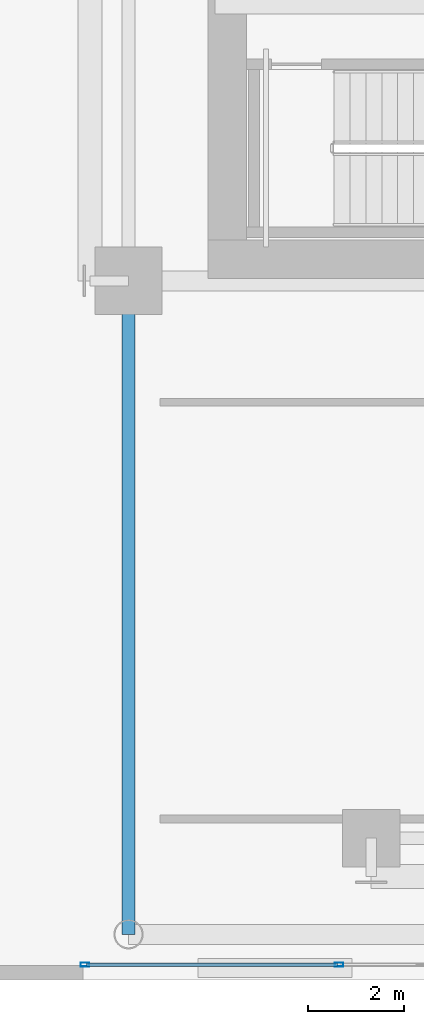
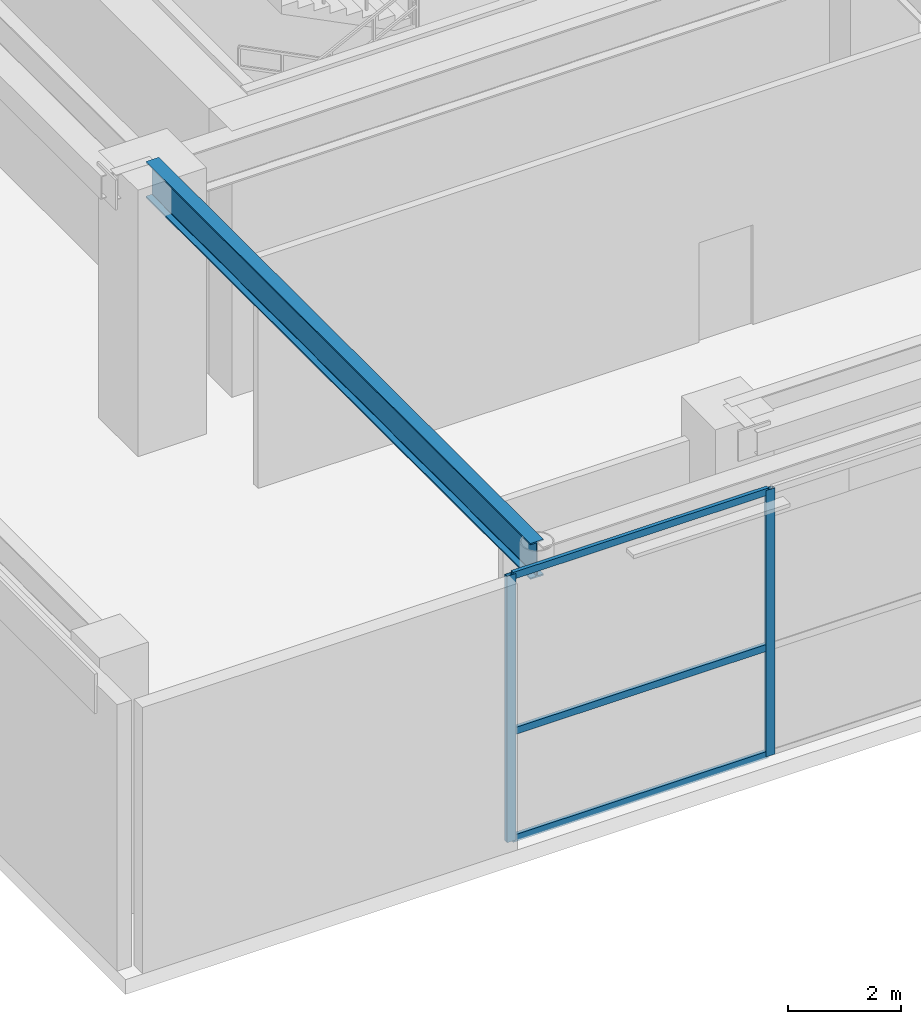
# One storey, part 3 of 29: 5 members, 1 beam, 1 element without a shape of its own.
"""IFC4 building model written with IfcOpenShell, lengths in metres."""

from ifc_helpers import new_model, si_unit, direction, frame, origin, origin_2d, place, context, subcontext, project, spatial, hollow_rectangle, i_section, extrude, source, transform, mapped, material, layer, layer_set, material_profile, profile_set, type_object, element, aggregate, save


model = new_model("IFC4")

# Units and contexts
model_context = context("Model", 3, precision=1e-05, world=origin(), true_north=direction((0.0, 1.0)))
body_context = subcontext(model_context, "Body", "Model", "MODEL_VIEW")
ifc_project = project(units=[si_unit("LENGTHUNIT", "METRE"), si_unit("AREAUNIT", "SQUARE_METRE"), si_unit("VOLUMEUNIT", "CUBIC_METRE"), si_unit("PLANEANGLEUNIT", "RADIAN"), si_unit("MASSUNIT", "GRAM", prefix="KILO")], contexts=[model_context])

# Site, building, storey
site_placement = place(None, origin())
site = spatial("IfcSite", under=ifc_project, at=site_placement, CompositionType="ELEMENT")
building_placement = place(site_placement, origin())
building = spatial("IfcBuilding", under=site, at=building_placement, Name="Ocotamira Hotel", CompositionType="ELEMENT")
storey_placement = place(building_placement, frame((0.0, 0.0, 28.800048828125)))
storey = spatial("IfcBuildingStorey", under=building, at=storey_placement, Name="L06", CompositionType="ELEMENT", Elevation=28.800048828125)

# Beam
ifc_material_1 = material(Name="Steel ASTM A992 Grade 50", Category="steel")
ifc_material_profile_1 = material_profile(ifc_material_1, i_section(OverallWidth=0.26611328125, OverallDepth=0.779052734375, WebThickness=0.0166015625, FlangeThickness=0.030029296875, FilletRadius=0.01806640625, at=origin_2d()), Name="W30X148")
ifc_profile_set_1 = profile_set([ifc_material_profile_1], Name="Steel ASTM A992 Grade 50")
beam_type = type_object("IfcBeamType", Name="BM-GIRD-W30X148", PredefinedType="BEAM", material=ifc_profile_set_1)
shared_shape_1 = source(origin(), body_context, "Body", "SweptSolid", [
    extrude(i_section(OverallWidth=0.26611328125, OverallDepth=0.779052734375, WebThickness=0.0166015625, FlangeThickness=0.030029296875, FilletRadius=0.01806640625, at=origin_2d()), origin(), (0.0, 0.0, 1.0), 13.60009765625),
])
beam_placement = place(storey_placement, frame((8.949951171875, 0.949951171875, 5.3603515625), z_axis=(0.0, 1.0, 0.0), x_axis=(-1.0, 0.0, 0.0)))
element("IfcBeam", 1, at=beam_placement, inside=storey, type_object=beam_type, Name="L06 Beam X8.95 Y0.95-14.55", PredefinedType="BEAM", context=body_context, shape_type="MappedRepresentation", body=[
    mapped(shared_shape_1, transform((0.0, 0.0, 0.0), scale=1.0)),
])

# Curtain wall, members
ifc_material_2 = material(Name="Anodised pale-metal aluminium and solar glass", Category="aluminium")
ifc_layer = layer(ifc_material_2, 0.239990234375)
ifc_layer_set = layer_set([ifc_layer], Name="Anodised pale-metal aluminium and solar glass")
curtain_wall_type = type_object("IfcCurtainWallType", Name="CW-SYS5-SKY", PredefinedType="NOTDEFINED", material=ifc_layer_set)
curtain_wall_placement = place(storey_placement, origin())
curtain_wall = element("IfcCurtainWall", 2, at=curtain_wall_placement, inside=storey, type_object=curtain_wall_type, Name="L06 Curtain Wall CW-5 CW-L06-S1", PredefinedType="NOTDEFINED")
ifc_material_3 = material(Name="Anodised pale-metal aluminium 6063-T6", Category="aluminium")
ifc_material_profile_2 = material_profile(ifc_material_3, hollow_rectangle(XDim=0.074951171875, YDim=0.14990234375, WallThickness=0.006103515625, at=origin_2d()), Name="HSS150X75X6")
ifc_profile_set_2 = profile_set([ifc_material_profile_2], Name="Anodised pale-metal aluminium 6063-T6")
member_type_1 = type_object("IfcMemberType", Name="CWT-150X75", PredefinedType="USERDEFINED", material=ifc_profile_set_2)
shared_shape_2 = source(origin(), body_context, "Body", "SweptSolid", [
    extrude(hollow_rectangle(XDim=0.074951171875, YDim=0.14990234375, WallThickness=0.006103515625, at=origin_2d()), origin(), (0.0, 0.0, 1.0), 5.213134765625),
])
member_1_placement = place(storey_placement, frame((8.080078125, 0.320068359375, 0.037353515625), z_axis=(1.0, 0.0, 0.0), x_axis=(0.0, 1.0, 0.0)))
member_1 = element("IfcMember", 3, at=member_1_placement, type_object=member_type_1, Name="CW-5 transom 1.1", ObjectType="TRANSOM", PredefinedType="USERDEFINED", context=body_context, shape_type="MappedRepresentation", body=[
    mapped(shared_shape_2, transform((0.0, 0.0, 0.0), scale=1.0)),
])
member_2_placement = place(storey_placement, frame((8.080078125, 0.320068359375, 2.349853515625), z_axis=(1.0, 0.0, 0.0), x_axis=(0.0, 1.0, 0.0)))
member_2 = element("IfcMember", 4, at=member_2_placement, type_object=member_type_1, Name="CW-5 transom 1.2", ObjectType="TRANSOM", PredefinedType="USERDEFINED", context=body_context, shape_type="MappedRepresentation", body=[
    mapped(shared_shape_2, transform((0.0, 0.0, 0.0), scale=1.0)),
])
member_3_placement = place(storey_placement, frame((8.080078125, 0.320068359375, 5.71240234375), z_axis=(1.0, 0.0, 0.0), x_axis=(0.0, 1.0, 0.0)))
member_3 = element("IfcMember", 5, at=member_3_placement, type_object=member_type_1, Name="CW-5 transom 1.3", ObjectType="TRANSOM", PredefinedType="USERDEFINED", context=body_context, shape_type="MappedRepresentation", body=[
    mapped(shared_shape_2, transform((0.0, 0.0, 0.0), scale=1.0)),
])
ifc_material_profile_3 = material_profile(ifc_material_3, hollow_rectangle(XDim=0.080078125, YDim=0.179931640625, WallThickness=0.006103515625, at=origin_2d()), Name="HSS180X80X6")
ifc_profile_set_3 = profile_set([ifc_material_profile_3], Name="Anodised pale-metal aluminium 6063-T6")
member_type_2 = type_object("IfcMemberType", Name="CWM-180X75", PredefinedType="MULLION", material=ifc_profile_set_3)
shared_shape_3 = source(origin(), body_context, "Body", "SweptSolid", [
    extrude(hollow_rectangle(XDim=0.080078125, YDim=0.179931640625, WallThickness=0.006103515625, at=origin_2d()), origin(), (0.0, 0.0, 1.0), 5.75),
])
member_4_placement = place(storey_placement, frame((8.0400390625, 0.320068359375, 0.0), z_axis=(0.0, 0.0, 1.0), x_axis=(0.0, 1.0, 0.0)))
member_4 = element("IfcMember", 6, at=member_4_placement, type_object=member_type_2, Name="CW-5 mullion 1", PredefinedType="MULLION", context=body_context, shape_type="MappedRepresentation", body=[
    mapped(shared_shape_3, transform((0.0, 0.0, 0.0), scale=1.0)),
])
member_5_placement = place(storey_placement, frame((13.333251953125, 0.320068359375, 0.0), z_axis=(0.0, 0.0, 1.0), x_axis=(0.0, 1.0, 0.0)))
member_5 = element("IfcMember", 7, at=member_5_placement, type_object=member_type_2, Name="CW-5 mullion 2", PredefinedType="MULLION", context=body_context, shape_type="MappedRepresentation", body=[
    mapped(shared_shape_3, transform((0.0, 0.0, 0.0), scale=1.0)),
])
aggregate(curtain_wall, [member_4, member_5, member_1, member_2, member_3])

save(model, "model.ifc")
